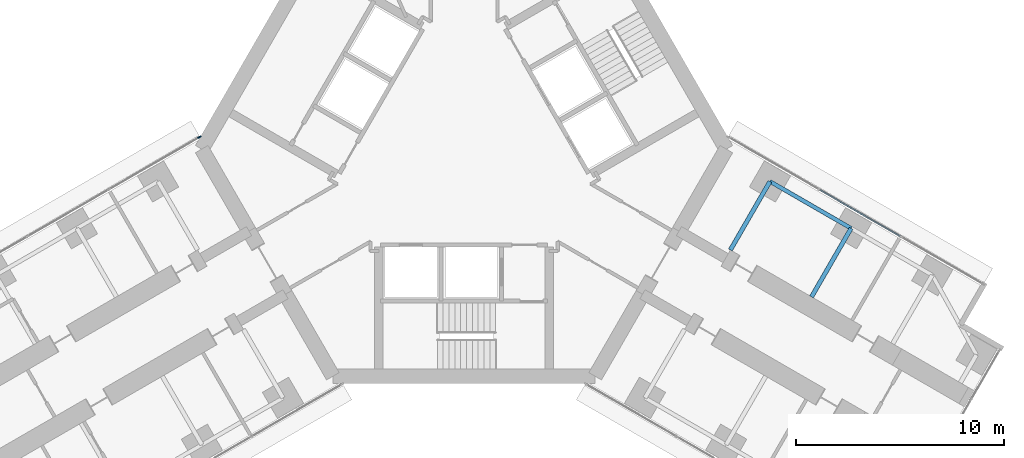
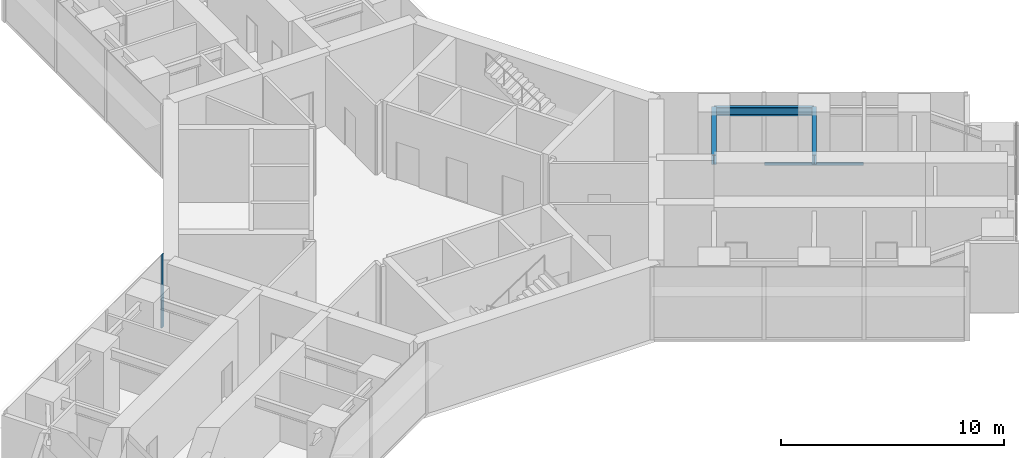
# One storey, part 10 of 24: 3 beams, 2 members, 2 elements without a shape of their own.
"""IFC4 building model written with IfcOpenShell, lengths in metres."""

from ifc_helpers import new_model, si_unit, direction, frame, origin, origin_2d, place, context, subcontext, project, spatial, rectangle, i_section, extrude, material, material_profile, profile_set, type_object, element, aggregate, save


model = new_model("IFC4")

# Units and contexts
model_context = context("Model", 3, precision=1e-05, world=origin(), true_north=direction((0.0, 1.0)))
body_context = subcontext(model_context, "Body", "Model", "MODEL_VIEW")
ifc_project = project(units=[si_unit("LENGTHUNIT", "METRE"), si_unit("AREAUNIT", "SQUARE_METRE"), si_unit("VOLUMEUNIT", "CUBIC_METRE"), si_unit("PLANEANGLEUNIT", "RADIAN"), si_unit("MASSUNIT", "GRAM", prefix="KILO")], contexts=[model_context])

# Site, building, storey
site_placement = place(None, origin())
site = spatial("IfcSite", under=ifc_project, at=site_placement, CompositionType="ELEMENT")
building_placement = place(site_placement, origin())
building = spatial("IfcBuilding", under=site, at=building_placement, Name="Upepo Twin Towers", CompositionType="ELEMENT")
storey_placement = place(building_placement, frame((0.0, 0.0, 52.5)))
storey = spatial("IfcBuildingStorey", under=building, at=storey_placement, Name="L12", CompositionType="ELEMENT", Elevation=52.5)

# Beams
ifc_material_1 = material(Name="Steel S355", Category="steel")
ifc_material_profile_1 = material_profile(ifc_material_1, i_section(OverallWidth=0.1904296875, OverallDepth=0.45703125, WebThickness=0.009033203125, FlangeThickness=0.014404296875, FilletRadius=0.01025390625, at=origin_2d()), Name="UB 457x191x74")
ifc_profile_set_1 = profile_set([ifc_material_profile_1], Name="Steel S355")
beam_type_1 = type_object("IfcBeamType", Name="Beam UB 457x191x74", PredefinedType="BEAM", material=ifc_profile_set_1)
beam_1_placement = place(storey_placement, frame((73.19140625, -19.553955078125, 3.571533203125), z_axis=(0.866017533419, -0.500013631625, 0.0), x_axis=(0.500013631625, 0.866017533419, 0.0)))
element("IfcBeam", 1, at=beam_1_placement, inside=storey, type_object=beam_type_1, Name="T2 edge beam CL 13.5-18.0", PredefinedType="BEAM", context=body_context, shape_type="SweptSolid", body=[
    extrude(i_section(OverallWidth=0.1904296875, OverallDepth=0.45703125, WebThickness=0.009033203125, FlangeThickness=0.014404296875, FilletRadius=0.01025390625, at=origin_2d()), origin(), (0.0, 0.0, 1.0), 4.499755859375),
])
ifc_material_2 = material(Name="Steel S355", Category="steel")
ifc_material_profile_2 = material_profile(ifc_material_2, i_section(OverallWidth=0.209228515625, OverallDepth=0.533203125, WebThickness=0.010009765625, FlangeThickness=0.015625, FilletRadius=0.0126953125, at=origin_2d()), Name="UB 533x210x92")
ifc_profile_set_2 = profile_set([ifc_material_profile_2], Name="Steel S355")
beam_type_2 = type_object("IfcBeamType", Name="Beam UB 533x210x92", PredefinedType="BEAM", material=ifc_profile_set_2)
beam_2_placement = place(storey_placement, frame((73.19140625, -19.553955078125, 3.533447265625), z_axis=(-0.500043160704, -0.866000483506, 0.0), x_axis=(0.866000483506, -0.500043160704, 0.0)))
element("IfcBeam", 2, at=beam_2_placement, inside=storey, type_object=beam_type_2, Name="T2 girder CL at 13.5", PredefinedType="BEAM", context=body_context, shape_type="SweptSolid", body=[
    extrude(i_section(OverallWidth=0.209228515625, OverallDepth=0.533203125, WebThickness=0.010009765625, FlangeThickness=0.015625, FilletRadius=0.0126953125, at=origin_2d()), origin(), (0.0, 0.0, 1.0), 3.800048828125),
])
beam_3_placement = place(storey_placement, frame((77.08837890625, -21.803955078125, 3.533447265625), z_axis=(-0.499994975061, -0.866028304915, 0.0), x_axis=(0.866028304915, -0.499994975061, 0.0)))
element("IfcBeam", 3, at=beam_3_placement, inside=storey, type_object=beam_type_2, Name="T2 girder CL at 18.0", PredefinedType="BEAM", context=body_context, shape_type="SweptSolid", body=[
    extrude(i_section(OverallWidth=0.209228515625, OverallDepth=0.533203125, WebThickness=0.010009765625, FlangeThickness=0.015625, FilletRadius=0.0126953125, at=origin_2d()), origin(), (0.0, 0.0, 1.0), 3.7998046875),
])

# Curtain wall, member
ifc_material_3 = material(Name="Aluminium and fritted glass", Category="aluminium")
curtain_wall_type = type_object("IfcCurtainWallType", Name="Tower curtain wall TW1, fritted glass", PredefinedType="NOTDEFINED", material=ifc_material_3)
curtain_wall_1_placement = place(storey_placement, origin())
curtain_wall_1 = element("IfcCurtainWall", 4, at=curtain_wall_1_placement, inside=storey, type_object=curtain_wall_type, Name="T2 L12 wing B flank R curtain wall", PredefinedType="NOTDEFINED")
ifc_material_4 = material(Name="Aluminium mullion", Category="aluminium")
ifc_material_profile_3 = material_profile(ifc_material_4, rectangle(XDim=0.06494140625, YDim=0.179931640625, at=origin_2d()), Name="MULLION 65x180")
ifc_profile_set_3 = profile_set([ifc_material_profile_3], Name="Aluminium mullion")
member_type_1 = type_object("IfcMemberType", Name="Mullion 65x180 TW1", PredefinedType="MULLION", material=ifc_profile_set_3)
member_1_placement = place(storey_placement, frame((45.79150390625, -17.427490234375, 0.0), z_axis=(0.0, 0.0, 1.0), x_axis=(-0.500000024426, 0.866025389682, 0.0)))
member_1 = element("IfcMember", 5, at=member_1_placement, type_object=member_type_1, Name="T2 L12 wing B flank R curtain wall mullion 4", PredefinedType="MULLION", context=body_context, shape_type="SweptSolid", body=[
    extrude(rectangle(XDim=0.06494140625, YDim=0.179931640625, at=origin_2d()), origin(), (0.0, 0.0, 1.0), 4.0),
])
aggregate(curtain_wall_1, [member_1])

curtain_wall_2_placement = place(storey_placement, origin())
curtain_wall_2 = element("IfcCurtainWall", 6, at=curtain_wall_2_placement, inside=storey, type_object=curtain_wall_type, Name="T2 L12 wing C flank L curtain wall", PredefinedType="NOTDEFINED")
ifc_material_5 = material(Name="Aluminium transom", Category="aluminium")
ifc_material_profile_4 = material_profile(ifc_material_5, rectangle(XDim=0.06494140625, YDim=0.14990234375, at=origin_2d()), Name="TRANSOM 65x150")
ifc_profile_set_4 = profile_set([ifc_material_profile_4], Name="Aluminium transom")
member_type_2 = type_object("IfcMemberType", Name="Transom 65x150 TW1", PredefinedType="USERDEFINED", material=ifc_profile_set_4)
member_2_placement = place(storey_placement, frame((75.593017578125, -19.958984375, 0.074951171875), z_axis=(0.866022410713, -0.500005184116, 0.0), x_axis=(0.500005184116, 0.866022410713, 0.0)))
member_2 = element("IfcMember", 7, at=member_2_placement, type_object=member_type_2, Name="T2 L12 wing C flank L curtain wall transom 2", ObjectType="TRANSOM", PredefinedType="USERDEFINED", context=body_context, shape_type="SweptSolid", body=[
    extrude(rectangle(XDim=0.06494140625, YDim=0.14990234375, at=origin_2d()), origin(), (0.0, 0.0, 1.0), 4.43505859375),
])
aggregate(curtain_wall_2, [member_2])

save(model, "model.ifc")
